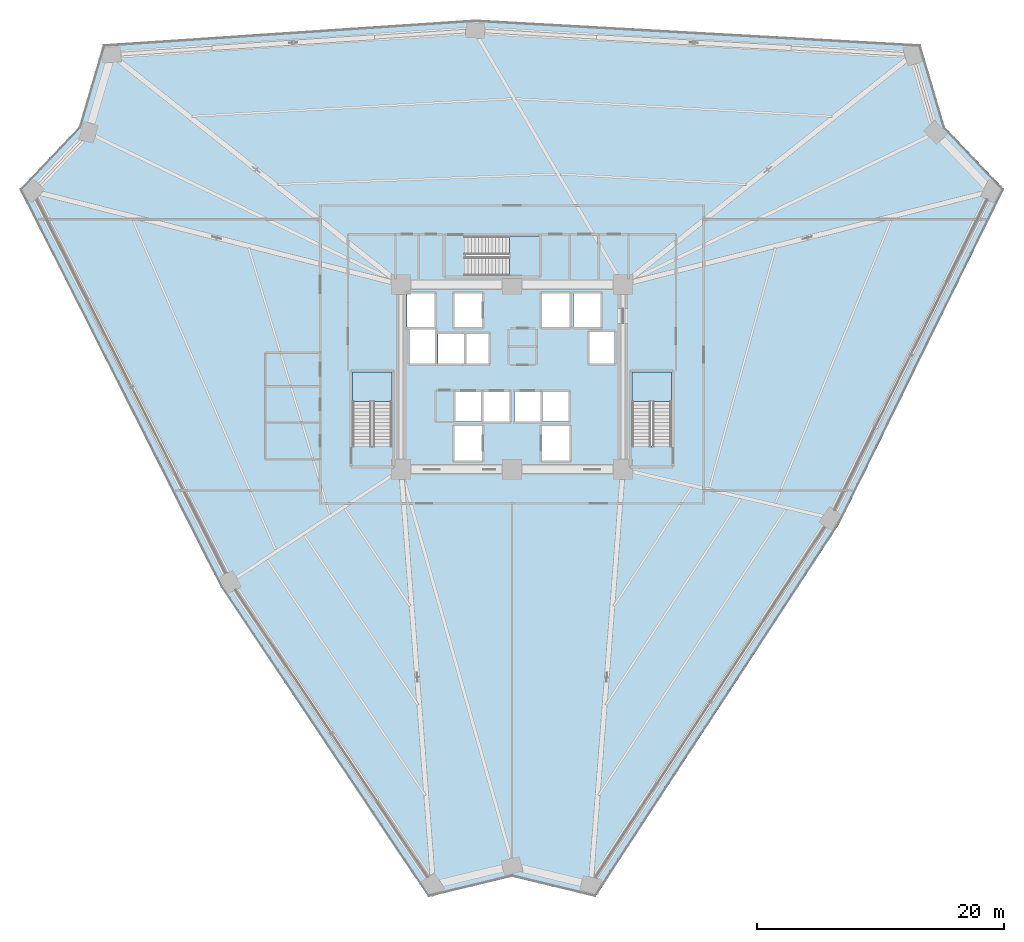
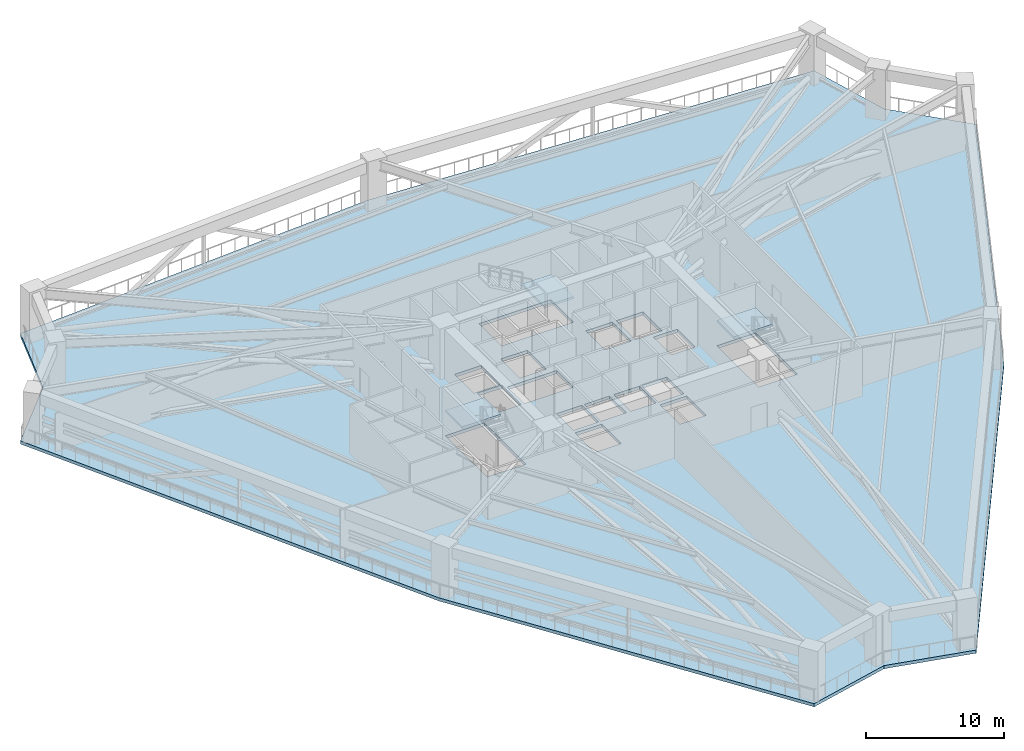
# One storey, part 12 of 25: 4 slabs, 3 elements without a shape of their own.
"""IFC4 building model written with IfcOpenShell, lengths in metres."""

from ifc_helpers import new_model, si_unit, direction, frame, origin, place, context, subcontext, project, spatial, polyline, outline, extrude, material, layer, layer_set, type_object, element, aggregate, save


model = new_model("IFC4")

# Units and contexts
model_context = context("Model", 3, precision=1e-05, world=origin(), true_north=direction((0.0, 1.0)))
body_context = subcontext(model_context, "Body", "Model", "MODEL_VIEW")
ifc_project = project(units=[si_unit("LENGTHUNIT", "METRE"), si_unit("AREAUNIT", "SQUARE_METRE"), si_unit("VOLUMEUNIT", "CUBIC_METRE"), si_unit("PLANEANGLEUNIT", "RADIAN"), si_unit("MASSUNIT", "GRAM", prefix="KILO")], contexts=[model_context])

# Site, building, storey
site_placement = place(None, origin())
site = spatial("IfcSite", under=ifc_project, at=site_placement, CompositionType="ELEMENT")
building_placement = place(site_placement, origin())
building = spatial("IfcBuilding", under=site, at=building_placement, Name="Liaohun Quay Tower", CompositionType="ELEMENT")
storey_placement = place(building_placement, frame((0.0, 0.0, 47.25)))
storey = spatial("IfcBuildingStorey", under=building, at=storey_placement, Name="L12", CompositionType="ELEMENT", Elevation=47.25)

# Stair, slab
ifc_material_1 = material(Name="Concrete C45", Category="concrete")
stair_type = type_object("IfcStairType", Name="STR-CORE-TALL", PredefinedType="HALF_TURN_STAIR", material=ifc_material_1)
stair_1_placement = place(storey_placement, origin())
stair_1 = element("IfcStair", 1, at=stair_1_placement, inside=storey, type_object=stair_type, Name="L12 Smokeproof Core Exit Stair ST-1", PredefinedType="HALF_TURN_STAIR")
ifc_layer_1 = layer(ifc_material_1, 0.199951171875, Name="Concrete C45", Category="concrete")
ifc_layer_set_1 = layer_set([ifc_layer_1], Name="Concrete C45")
slab_type_1 = type_object("IfcSlabType", Name="SLB-LND-200", PredefinedType="LANDING", material=ifc_layer_set_1)
slab_1_placement = place(storey_placement, frame((0.0, 0.0, 2.050048828125)))
slab_1 = element("IfcSlab", 2, at=slab_1_placement, type_object=slab_type_1, Name="ST-1 landing 1", PredefinedType="LANDING", context=body_context, shape_type="SweptSolid", body=[
    extrude(outline(polyline([(50.280029296875, 51.989990234375), (50.280029296875, 54.419921875), (47.0400390625, 54.419921875), (47.0400390625, 51.989990234375), (50.280029296875, 51.989990234375)])), origin(), (0.0, 0.0, 1.0), 0.199951171875),
])
aggregate(stair_1, [slab_1])

stair_2_placement = place(storey_placement, origin())
stair_2 = element("IfcStair", 3, at=stair_2_placement, inside=storey, type_object=stair_type, Name="L12 Smokeproof Core Exit Stair ST-2", PredefinedType="HALF_TURN_STAIR")
slab_2_placement = place(storey_placement, frame((0.0, 0.0, 2.050048828125)))
slab_2 = element("IfcSlab", 4, at=slab_2_placement, type_object=slab_type_1, Name="ST-2 landing 1", PredefinedType="LANDING", context=body_context, shape_type="SweptSolid", body=[
    extrude(outline(polyline([(72.9599609375, 51.989990234375), (72.9599609375, 54.419921875), (69.719970703125, 54.419921875), (69.719970703125, 51.989990234375), (72.9599609375, 51.989990234375)])), origin(), (0.0, 0.0, 1.0), 0.199951171875),
])
aggregate(stair_2, [slab_2])

stair_3_placement = place(storey_placement, origin())
stair_3 = element("IfcStair", 5, at=stair_3_placement, inside=storey, type_object=stair_type, Name="L12 Smokeproof Core Exit Stair ST-3", PredefinedType="HALF_TURN_STAIR")
slab_3_placement = place(storey_placement, frame((0.0, 0.0, 2.050048828125)))
slab_3 = element("IfcSlab", 6, at=slab_3_placement, type_object=slab_type_1, Name="ST-3 landing 1", PredefinedType="LANDING", context=body_context, shape_type="SweptSolid", body=[
    extrude(outline(polyline([(59.7900390625, 62.199951171875), (62.219970703125, 62.199951171875), (62.219970703125, 65.43994140625), (59.7900390625, 65.43994140625), (59.7900390625, 62.199951171875)])), origin(), (0.0, 0.0, 1.0), 0.199951171875),
])
aggregate(stair_3, [slab_3])

# Slab
ifc_material_2 = material(Name="Concrete C50", Category="concrete")
ifc_layer_2 = layer(ifc_material_2, 0.280029296875, Name="Concrete C50", Category="concrete")
ifc_layer_set_2 = layer_set([ifc_layer_2], Name="Concrete C50")
slab_type_2 = type_object("IfcSlabType", Name="SLB-REF-280", PredefinedType="FLOOR", material=ifc_layer_set_2)
slab_4_placement = place(storey_placement, frame((0.0, 0.0, -0.280029296875)))
element("IfcSlab", 7, at=slab_4_placement, inside=storey, type_object=slab_type_2, Name="L12 Structural Floor Slab", PredefinedType="FLOOR", context=body_context, shape_type="SweptSolid", body=[
    extrude(outline(polyline([(53.22998046875, 11.81494140625), (60.0, 13.449951171875), (66.77001953125, 11.81494140625), (86.573974609375, 42.10205078125), (99.91796875, 69.22998046875), (95.116943359375, 74.27490234375), (93.14794921875, 80.955078125), (57.01708984375, 82.962890625), (26.85205078125, 80.955078125), (24.883056640625, 74.27490234375), (20.08203125, 69.22998046875), (36.408935546875, 36.93505859375), (53.22998046875, 11.81494140625)]), holes=[polyline([(57.56005859375, 47.2099609375), (57.56005859375, 50.030029296875), (55.340087890625, 50.030029296875), (55.340087890625, 47.2099609375), (57.56005859375, 47.2099609375)]), polyline([(50.280029296875, 54.419921875), (47.0400390625, 54.419921875), (47.0400390625, 48.409912109375), (50.280029296875, 48.409912109375), (50.280029296875, 54.419921875)]), polyline([(57.510009765625, 50.389892578125), (57.510009765625, 52.81005859375), (55.389892578125, 52.81005859375), (55.389892578125, 50.389892578125), (57.510009765625, 50.389892578125)]), polyline([(59.81005859375, 50.389892578125), (59.81005859375, 52.81005859375), (57.68994140625, 52.81005859375), (57.68994140625, 50.389892578125), (59.81005859375, 50.389892578125)]), polyline([(58.110107421875, 57.510009765625), (53.989990234375, 57.510009765625), (53.989990234375, 55.090087890625), (58.110107421875, 55.090087890625), (58.110107421875, 57.510009765625)]), polyline([(53.760009765625, 55.090087890625), (53.760009765625, 57.909912109375), (51.7099609375, 57.909912109375), (51.7099609375, 55.090087890625), (53.760009765625, 55.090087890625)]), polyline([(53.7099609375, 58.0400390625), (53.7099609375, 60.7900390625), (51.489990234375, 60.7900390625), (51.489990234375, 58.0400390625), (53.7099609375, 58.0400390625)]), polyline([(57.56005859375, 58.0400390625), (57.56005859375, 60.7900390625), (55.340087890625, 60.7900390625), (55.340087890625, 58.0400390625), (57.56005859375, 58.0400390625)]), polyline([(64.659912109375, 47.2099609375), (64.659912109375, 50.030029296875), (62.43994140625, 50.030029296875), (62.43994140625, 47.2099609375), (64.659912109375, 47.2099609375)]), polyline([(72.9599609375, 54.419921875), (69.719970703125, 54.419921875), (69.719970703125, 48.409912109375), (72.9599609375, 48.409912109375), (72.9599609375, 54.419921875)]), polyline([(62.31005859375, 50.389892578125), (62.31005859375, 52.81005859375), (60.18994140625, 52.81005859375), (60.18994140625, 50.389892578125), (62.31005859375, 50.389892578125)]), polyline([(64.610107421875, 50.389892578125), (64.610107421875, 52.81005859375), (62.489990234375, 52.81005859375), (62.489990234375, 50.389892578125), (64.610107421875, 50.389892578125)]), polyline([(68.2900390625, 55.090087890625), (68.2900390625, 57.659912109375), (66.2900390625, 57.659912109375), (66.2900390625, 55.090087890625), (68.2900390625, 55.090087890625)]), polyline([(64.659912109375, 58.0400390625), (64.659912109375, 60.7900390625), (62.43994140625, 60.7900390625), (62.43994140625, 58.0400390625), (64.659912109375, 58.0400390625)]), polyline([(64.989990234375, 58.0400390625), (67.2099609375, 58.0400390625), (67.2099609375, 60.7900390625), (64.989990234375, 60.7900390625), (64.989990234375, 58.0400390625)]), polyline([(56.2099609375, 62.199951171875), (62.219970703125, 62.199951171875), (62.219970703125, 65.43994140625), (56.2099609375, 65.43994140625), (56.2099609375, 62.199951171875)])]), origin(), (0.0, 0.0, 1.0), 0.280029296875),
])

save(model, "model.ifc")
